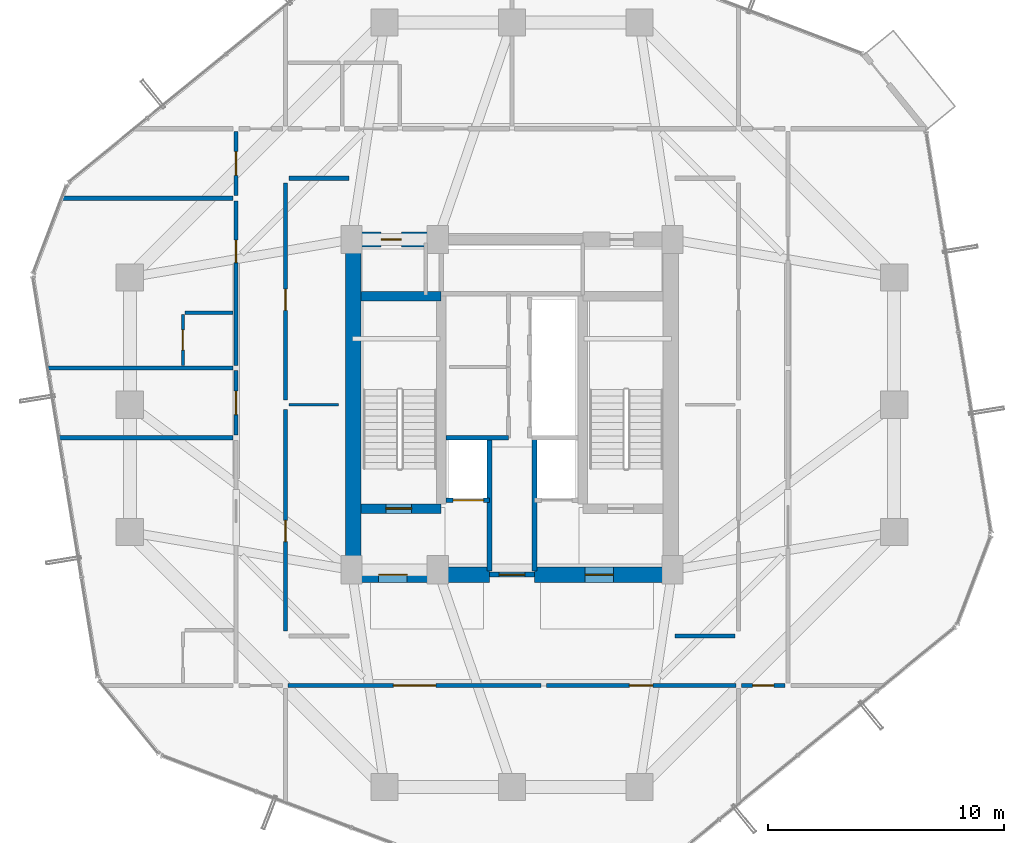
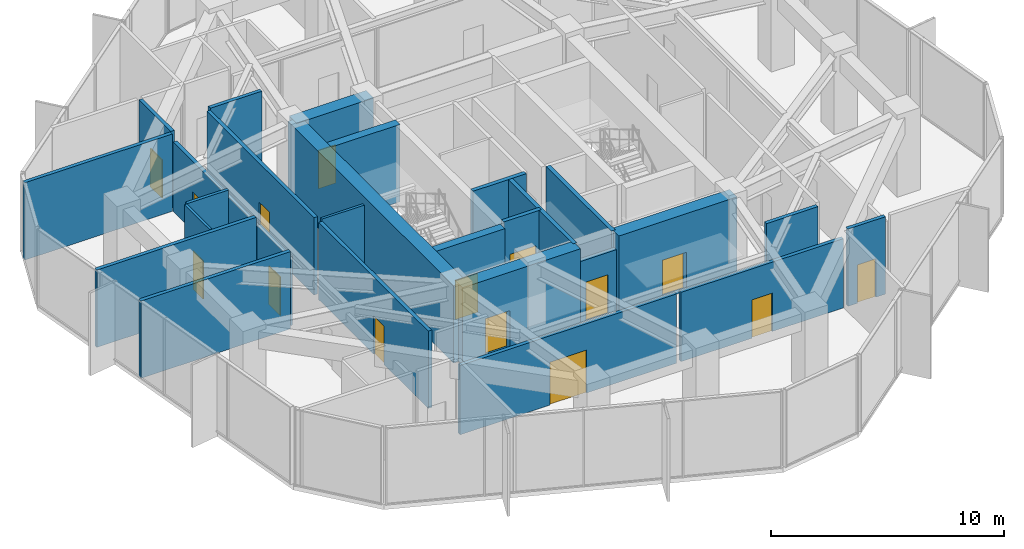
# One storey, part 22 of 26: 27 walls, 15 doors, 15 openings.
"""IFC4 building model written with IfcOpenShell, lengths in metres."""

from ifc_helpers import new_model, si_unit, direction, frame, frame_2d, origin, place, context, subcontext, project, spatial, rectangle, extrude, source, transform, mapped, material, layer, layer_set, type_object, element, fill, save


model = new_model("IFC4")

# Units and contexts
model_context = context("Model", 3, precision=1e-05, world=origin(), true_north=direction((0.0, 1.0)))
body_context = subcontext(model_context, "Body", "Model", "MODEL_VIEW")
ifc_project = project(units=[si_unit("LENGTHUNIT", "METRE"), si_unit("AREAUNIT", "SQUARE_METRE"), si_unit("VOLUMEUNIT", "CUBIC_METRE"), si_unit("PLANEANGLEUNIT", "RADIAN"), si_unit("MASSUNIT", "GRAM", prefix="KILO")], contexts=[model_context])

# Site, building, storey
site_placement = place(None, origin())
site = spatial("IfcSite", under=ifc_project, at=site_placement, CompositionType="ELEMENT")
building_placement = place(site_placement, origin())
building = spatial("IfcBuilding", under=site, at=building_placement, Name="Veraguas Prism Commons", CompositionType="ELEMENT")
storey_placement = place(building_placement, frame((0.0, 0.0, 158.75)))
storey = spatial("IfcBuildingStorey", under=building, at=storey_placement, Name="L45", CompositionType="ELEMENT", Elevation=158.75)

# Wall, opening, door
ifc_material_1 = material(Name="Concrete C50/60", Category="concrete")
ifc_layer_1 = layer(ifc_material_1, 0.39990234375, Name="Clinic and Mid Core Shear Wall RC 400", Category="concrete")
ifc_layer_set_1 = layer_set([ifc_layer_1], Name="Concrete C50/60")
wall_type_1 = type_object("IfcWallType", Name="Clinic and Mid Core Shear Wall RC 400", PredefinedType="SHEAR", material=ifc_layer_set_1)
wall_1_placement = place(storey_placement, frame((17.60009765625, 19.60009765625, 0.0), z_axis=(0.0, 0.0, 1.0), x_axis=(1.0, 0.0, 0.0)))
wall_1 = element("IfcWall", 1, at=wall_1_placement, inside=storey, type_object=wall_type_1, Name="Stair ST-01 South Shear Wall L45", PredefinedType="SHEAR", context=body_context, shape_type="SweptSolid", body=[
    extrude(rectangle(XDim=3.39990234375, YDim=0.39990234375, at=frame_2d((1.699951171875, 0.0))), origin(), (0.0, 0.0, 1.0), 4.050048828125),
])
opening_1_placement = place(wall_1_placement, frame((1.050048828125, 0.0, 0.0)))
opening_1 = element("IfcOpeningElement", 2, at=opening_1_placement, cuts=wall_1, Name="Opening DR-05", PredefinedType="OPENING", context=body_context, shape_type="SweptSolid", body=[
    extrude(rectangle(XDim=1.10009765625, YDim=2.030029296875, at=frame_2d((0.550048828125, 1.01513671875))), frame((0.0, 0.2099609375, 0.0), z_axis=(0.0, -1.0, 0.0), x_axis=(1.0, 0.0, 0.0)), (0.0, 0.0, 1.0), 0.419921875),
])
ifc_material_2 = material(Name="Steel fire-rated door assembly", Category="steel")
door_type_1 = type_object("IfcDoorType", Name="Protected Stair and Refuge Fire Door 1100x2030", OperationType="NOTDEFINED", PredefinedType="DOOR", material=ifc_material_2)
shared_shape_1 = source(origin(), body_context, "Body", "SweptSolid", [
    extrude(rectangle(XDim=1.10009765625, YDim=2.030029296875, at=frame_2d((0.550048828125, 1.01513671875))), frame((0.0, 0.02490234375, 0.0), z_axis=(0.0, -1.0, 0.0), x_axis=(1.0, 0.0, 0.0)), (0.0, 0.0, 1.0), 0.050048828125),
])
door_1_placement = place(opening_1_placement, origin())
door_1 = element("IfcDoor", 3, at=door_1_placement, inside=storey, type_object=door_type_1, Name="Stair ST-01 Enclosure Door L45", OperationType="SINGLE_SWING_RIGHT", OverallHeight=2.030029296875, OverallWidth=1.10009765625, PredefinedType="DOOR", context=body_context, shape_type="MappedRepresentation", body=[
    mapped(shared_shape_1, transform((0.0, 0.0, 0.0), scale=1.0)),
])
fill(opening_1, door_1)

# Walls
wall_2_placement = place(storey_placement, frame((17.60009765625, 28.60009765625, 0.0), z_axis=(0.0, 0.0, 1.0), x_axis=(1.0, 0.0, 0.0)))
element("IfcWall", 4, at=wall_2_placement, inside=storey, type_object=wall_type_1, Name="Stair ST-01 North Shear Wall L45", PredefinedType="SHEAR", context=body_context, shape_type="SweptSolid", body=[
    extrude(rectangle(XDim=3.39990234375, YDim=0.39990234375, at=frame_2d((1.699951171875, 0.0))), origin(), (0.0, 0.0, 1.0), 4.050048828125),
])
ifc_material_3 = material(Name="Concrete C55/67", Category="concrete")
ifc_layer_2 = layer(ifc_material_3, 0.64990234375, Name="Core Outer Shear Wall Mid RC 650", Category="concrete")
ifc_layer_set_2 = layer_set([ifc_layer_2], Name="Concrete C55/67")
wall_type_2 = type_object("IfcWallType", Name="Core Outer Shear Wall Mid RC 650", PredefinedType="SHEAR", material=ifc_layer_set_2)
wall_3_placement = place(storey_placement, frame((17.27490234375, 16.800048828125, 0.0), z_axis=(0.0, 0.0, 1.0), x_axis=(0.0, 1.0, 0.0)))
element("IfcWall", 5, at=wall_3_placement, inside=storey, type_object=wall_type_2, Name="Central Core West Shear Wall L45", PredefinedType="SHEAR", context=body_context, shape_type="SweptSolid", body=[
    extrude(rectangle(XDim=14.199951171875, YDim=0.64990234375, at=frame_2d((7.10009765625, 0.0))), origin(), (0.0, 0.0, 1.0), 4.050048828125),
])

# Wall, opening, door
wall_4_placement = place(storey_placement, frame((17.199951171875, 16.800048828125, 0.0), z_axis=(0.0, 0.0, 1.0), x_axis=(1.0, 0.0, 0.0)))
wall_4 = element("IfcWall", 6, at=wall_4_placement, inside=storey, type_object=wall_type_2, Name="Central Core South-West Shear Wall L45", PredefinedType="SHEAR", context=body_context, shape_type="SweptSolid", body=[
    extrude(rectangle(XDim=5.85009765625, YDim=0.64990234375, at=frame_2d((2.925048828125, 0.0))), origin(), (0.0, 0.0, 1.0), 4.050048828125),
])
opening_2_placement = place(wall_4_placement, frame((1.14990234375, 0.0, 0.0)))
opening_2 = element("IfcOpeningElement", 7, at=opening_2_placement, cuts=wall_4, Name="Opening DR-06", PredefinedType="OPENING", context=body_context, shape_type="SweptSolid", body=[
    extrude(rectangle(XDim=1.199951171875, YDim=2.030029296875, at=frame_2d((0.60009765625, 1.01513671875))), frame((0.0, 0.3349609375, 0.0), z_axis=(0.0, -1.0, 0.0), x_axis=(1.0, 0.0, 0.0)), (0.0, 0.0, 1.0), 0.669921875),
])
door_type_2 = type_object("IfcDoorType", Name="Firefighting Lobby Smoke Door 1200x2030", OperationType="NOTDEFINED", PredefinedType="DOOR", material=ifc_material_2)
shared_shape_2 = source(origin(), body_context, "Body", "SweptSolid", [
    extrude(rectangle(XDim=1.199951171875, YDim=2.030029296875, at=frame_2d((0.60009765625, 1.01513671875))), frame((0.0, 0.02490234375, 0.0), z_axis=(0.0, -1.0, 0.0), x_axis=(1.0, 0.0, 0.0)), (0.0, 0.0, 1.0), 0.050048828125),
])
door_2_placement = place(opening_2_placement, origin())
door_2 = element("IfcDoor", 8, at=door_2_placement, inside=storey, type_object=door_type_2, Name="West FF Lobby Door L45", OperationType="SINGLE_SWING_LEFT", OverallHeight=2.030029296875, OverallWidth=1.199951171875, PredefinedType="DOOR", context=body_context, shape_type="MappedRepresentation", body=[
    mapped(shared_shape_2, transform((0.0, 0.0, 0.0), scale=1.0)),
])
fill(opening_2, door_2)

wall_5_placement = place(storey_placement, frame((24.949951171875, 16.800048828125, 0.0), z_axis=(0.0, 0.0, 1.0), x_axis=(1.0, 0.0, 0.0)))
wall_5 = element("IfcWall", 9, at=wall_5_placement, inside=storey, type_object=wall_type_2, Name="Central Core South-East Shear Wall L45", PredefinedType="SHEAR", context=body_context, shape_type="SweptSolid", body=[
    extrude(rectangle(XDim=5.85009765625, YDim=0.64990234375, at=frame_2d((2.925048828125, 0.0))), origin(), (0.0, 0.0, 1.0), 4.050048828125),
])
opening_3_placement = place(wall_5_placement, frame((2.14990234375, 0.0, 0.0)))
opening_3 = element("IfcOpeningElement", 10, at=opening_3_placement, cuts=wall_5, Name="Opening DR-06", PredefinedType="OPENING", context=body_context, shape_type="SweptSolid", body=[
    extrude(rectangle(XDim=1.199951171875, YDim=2.030029296875, at=frame_2d((0.60009765625, 1.01513671875))), frame((0.0, 0.3349609375, 0.0), z_axis=(0.0, -1.0, 0.0), x_axis=(1.0, 0.0, 0.0)), (0.0, 0.0, 1.0), 0.669921875),
])
door_3_placement = place(opening_3_placement, origin())
door_3 = element("IfcDoor", 11, at=door_3_placement, inside=storey, type_object=door_type_2, Name="East FF Lobby Door L45", OperationType="SINGLE_SWING_LEFT", OverallHeight=2.030029296875, OverallWidth=1.199951171875, PredefinedType="DOOR", context=body_context, shape_type="MappedRepresentation", body=[
    mapped(shared_shape_2, transform((0.0, 0.0, 0.0), scale=1.0)),
])
fill(opening_3, door_3)

wall_6_placement = place(storey_placement, frame((17.199951171875, 31.0, 0.0), z_axis=(0.0, 0.0, 1.0), x_axis=(1.0, 0.0, 0.0)))
wall_6 = element("IfcWall", 12, at=wall_6_placement, inside=storey, type_object=wall_type_2, Name="Central Core North-West Shear Wall L45", PredefinedType="SHEAR", context=body_context, shape_type="SweptSolid", body=[
    extrude(rectangle(XDim=3.800048828125, YDim=0.64990234375, at=frame_2d((1.89990234375, 0.0))), origin(), (0.0, 0.0, 1.0), 4.050048828125),
])
opening_4_placement = place(wall_6_placement, frame((1.25, 0.0, 0.0)))
opening_4 = element("IfcOpeningElement", 13, at=opening_4_placement, cuts=wall_6, Name="Opening DR-12", PredefinedType="OPENING", context=body_context, shape_type="SweptSolid", body=[
    extrude(rectangle(XDim=0.860107421875, YDim=2.010009765625, at=frame_2d((0.43017578125, 1.0048828125))), frame((0.0, 0.3349609375, 0.0), z_axis=(0.0, -1.0, 0.0), x_axis=(1.0, 0.0, 0.0)), (0.0, 0.0, 1.0), 0.669921875),
])
door_type_3 = type_object("IfcDoorType", Name="Core WC Fire Door 860x2010", OperationType="NOTDEFINED", PredefinedType="DOOR", material=ifc_material_2)
shared_shape_3 = source(origin(), body_context, "Body", "SweptSolid", [
    extrude(rectangle(XDim=0.860107421875, YDim=2.010009765625, at=frame_2d((0.43017578125, 1.0048828125))), frame((0.0, 0.02490234375, 0.0), z_axis=(0.0, -1.0, 0.0), x_axis=(1.0, 0.0, 0.0)), (0.0, 0.0, 1.0), 0.050048828125),
])
door_4_placement = place(opening_4_placement, origin())
door_4 = element("IfcDoor", 14, at=door_4_placement, inside=storey, type_object=door_type_3, Name="Core NW Service Door L45", OperationType="SINGLE_SWING_RIGHT", OverallHeight=2.010009765625, OverallWidth=0.860107421875, PredefinedType="DOOR", context=body_context, shape_type="MappedRepresentation", body=[
    mapped(shared_shape_3, transform((0.0, 0.0, 0.0), scale=1.0)),
])
fill(opening_4, door_4)

ifc_material_4 = material(Name="Autoclaved aerated masonry block 10 MPa", Category="masonry")
ifc_layer_3 = layer(ifc_material_4, 0.179931640625, Name="Corridor and Inter-Tenancy Partition 180", Category="masonry")
ifc_layer_set_3 = layer_set([ifc_layer_3], Name="Autoclaved aerated masonry block 10 MPa")
wall_type_3 = type_object("IfcWallType", Name="Corridor and Inter-Tenancy Partition 180", PredefinedType="PARTITIONING", material=ifc_layer_set_3)
wall_7_placement = place(storey_placement, frame((14.39990234375, 14.39990234375, 0.0), z_axis=(0.0, 0.0, 1.0), x_axis=(0.0, 1.0, 0.0)))
wall_7 = element("IfcWall", 15, at=wall_7_placement, inside=storey, type_object=wall_type_3, Name="WL-L45-IRW1", PredefinedType="PARTITIONING", context=body_context, shape_type="SweptSolid", body=[
    extrude(rectangle(XDim=9.400146484375, YDim=0.179931640625, at=frame_2d((4.7001953125, 0.0))), origin(), (0.0, 0.0, 1.0), 4.050048828125),
])
opening_5_placement = place(wall_7_placement, frame((3.800048828125, 0.0, 0.0)))
opening_5 = element("IfcOpeningElement", 16, at=opening_5_placement, cuts=wall_7, Name="Opening DR-14", PredefinedType="OPENING", context=body_context, shape_type="SweptSolid", body=[
    extrude(rectangle(XDim=0.89990234375, YDim=2.010009765625, at=frame_2d((0.449951171875, 1.0048828125))), frame((0.0, 0.099853515625, 0.0), z_axis=(0.0, -1.0, 0.0), x_axis=(1.0, 0.0, 0.0)), (0.0, 0.0, 1.0), 0.199951171875),
])
door_type_4 = type_object("IfcDoorType", Name="Core Service Room Fire Door 900x2010", OperationType="NOTDEFINED", PredefinedType="DOOR", material=ifc_material_2)
shared_shape_4 = source(origin(), body_context, "Body", "SweptSolid", [
    extrude(rectangle(XDim=0.89990234375, YDim=2.010009765625, at=frame_2d((0.449951171875, 1.0048828125))), frame((0.0, 0.02490234375, 0.0), z_axis=(0.0, -1.0, 0.0), x_axis=(1.0, 0.0, 0.0)), (0.0, 0.0, 1.0), 0.050048828125),
])
door_5_placement = place(opening_5_placement, origin())
door_5 = element("IfcDoor", 17, at=door_5_placement, inside=storey, type_object=door_type_4, Name="Residents Quiet Study Pod Door L45", OperationType="SINGLE_SWING_RIGHT", OverallHeight=2.010009765625, OverallWidth=0.89990234375, PredefinedType="DOOR", context=body_context, shape_type="MappedRepresentation", body=[
    mapped(shared_shape_4, transform((0.0, 0.0, 0.0), scale=1.0)),
])
fill(opening_5, door_5)

wall_8_placement = place(storey_placement, frame((14.39990234375, 24.199951171875, 0.0), z_axis=(0.0, 0.0, 1.0), x_axis=(0.0, 1.0, 0.0)))
wall_8 = element("IfcWall", 18, at=wall_8_placement, inside=storey, type_object=wall_type_3, Name="WL-L45-IRW2", PredefinedType="PARTITIONING", context=body_context, shape_type="SweptSolid", body=[
    extrude(rectangle(XDim=9.199951171875, YDim=0.179931640625, at=frame_2d((4.60009765625, 0.0))), origin(), (0.0, 0.0, 1.0), 4.050048828125),
])
opening_6_placement = place(wall_8_placement, frame((3.800048828125, 0.0, 0.0)))
opening_6 = element("IfcOpeningElement", 19, at=opening_6_placement, cuts=wall_8, Name="Opening DR-14", PredefinedType="OPENING", context=body_context, shape_type="SweptSolid", body=[
    extrude(rectangle(XDim=0.89990234375, YDim=2.010009765625, at=frame_2d((0.449951171875, 1.0048828125))), frame((0.0, 0.099853515625, 0.0), z_axis=(0.0, -1.0, 0.0), x_axis=(1.0, 0.0, 0.0)), (0.0, 0.0, 1.0), 0.199951171875),
])
door_6_placement = place(opening_6_placement, origin())
door_6 = element("IfcDoor", 20, at=door_6_placement, inside=storey, type_object=door_type_4, Name="Co-op Cycle and Pram Store Door L45", OperationType="SINGLE_SWING_LEFT", OverallHeight=2.010009765625, OverallWidth=0.89990234375, PredefinedType="DOOR", context=body_context, shape_type="MappedRepresentation", body=[
    mapped(shared_shape_4, transform((0.0, 0.0, 0.0), scale=1.0)),
])
fill(opening_6, door_6)

# Walls
for number, where, z_axis, x_axis, name in (
    (21, (14.550048828125, 33.60009765625, 0.0), (0.0, 0.0, 1.0), (1.0, 0.0, 0.0), "WL-L45-IRWN"),
    (22, (30.89990234375, 14.199951171875, 0.0), (0.0, 0.0, 1.0), (1.0, 0.0, 0.0), "WL-L45-IRES"),
):
    element("IfcWall", number, at=place(storey_placement, frame(where, z_axis=z_axis, x_axis=x_axis)), inside=storey, type_object=wall_type_3, Name=name, PredefinedType="PARTITIONING", context=body_context, shape_type="SweptSolid", body=[
        extrude(rectangle(XDim=2.550048828125, YDim=0.179931640625, at=frame_2d((1.27490234375, 0.0))), origin(), (0.0, 0.0, 1.0), 4.050048828125),
    ])

# Wall, opening, door
wall_9_placement = place(storey_placement, frame((14.510009765625, 12.10009765625, 0.0), z_axis=(0.0, 0.0, 1.0), x_axis=(1.0, 0.0, 0.0)))
wall_9 = element("IfcWall", 23, at=wall_9_placement, inside=storey, type_object=wall_type_3, Name="WL-L45-PT003", PredefinedType="PARTITIONING", context=body_context, shape_type="SweptSolid", body=[
    extrude(rectangle(XDim=10.723876953125, YDim=0.179931640625, at=frame_2d((5.36181640625, 0.0))), origin(), (0.0, 0.0, 1.0), 3.6298828125),
])
opening_7_placement = place(wall_9_placement, frame((4.4619140625, 0.0, 0.0)))
opening_7 = element("IfcOpeningElement", 24, at=opening_7_placement, cuts=wall_9, Name="Opening DR-07", PredefinedType="OPENING", context=body_context, shape_type="SweptSolid", body=[
    extrude(rectangle(XDim=1.800048828125, YDim=2.25, at=frame_2d((0.89990234375, 1.125))), frame((0.0, 0.099853515625, 0.0), z_axis=(0.0, -1.0, 0.0), x_axis=(1.0, 0.0, 0.0)), (0.0, 0.0, 1.0), 0.199951171875),
])
door_type_5 = type_object("IfcDoorType", Name="Corridor Double Fire Door 1800x2250", OperationType="NOTDEFINED", PredefinedType="DOOR", material=ifc_material_2)
shared_shape_5 = source(origin(), body_context, "Body", "SweptSolid", [
    extrude(rectangle(XDim=1.800048828125, YDim=2.25, at=frame_2d((0.89990234375, 1.125))), frame((0.0, 0.02490234375, 0.0), z_axis=(0.0, -1.0, 0.0), x_axis=(1.0, 0.0, 0.0)), (0.0, 0.0, 1.0), 0.050048828125),
])
door_7_placement = place(opening_7_placement, origin())
door_7 = element("IfcDoor", 25, at=door_7_placement, inside=storey, type_object=door_type_5, Name="Residents Co-op Library and Reading Hall Door 1", OperationType="SINGLE_SWING_RIGHT", OverallHeight=2.25, OverallWidth=1.800048828125, PredefinedType="DOOR", context=body_context, shape_type="MappedRepresentation", body=[
    mapped(shared_shape_5, transform((0.0, 0.0, 0.0), scale=1.0)),
])
fill(opening_7, door_7)

wall_10_placement = place(storey_placement, frame((25.4541015625, 12.10009765625, 0.0), z_axis=(0.0, 0.0, 1.0), x_axis=(1.0, 0.0, 0.0)))
wall_10 = element("IfcWall", 26, at=wall_10_placement, inside=storey, type_object=wall_type_3, Name="WL-L45-PT004", PredefinedType="PARTITIONING", context=body_context, shape_type="SweptSolid", body=[
    extrude(rectangle(XDim=8.035888671875, YDim=0.179931640625, at=frame_2d((4.01806640625, 0.0))), origin(), (0.0, 0.0, 1.0), 3.6298828125),
])
opening_8_placement = place(wall_10_placement, frame((3.51806640625, 0.0, 0.0)))
opening_8 = element("IfcOpeningElement", 27, at=opening_8_placement, cuts=wall_10, Name="Opening DR-13", PredefinedType="OPENING", context=body_context, shape_type="SweptSolid", body=[
    extrude(rectangle(XDim=1.0, YDim=2.010009765625, at=frame_2d((0.5, 1.0048828125))), frame((0.0, 0.099853515625, 0.0), z_axis=(0.0, -1.0, 0.0), x_axis=(1.0, 0.0, 0.0)), (0.0, 0.0, 1.0), 0.199951171875),
])
door_type_6 = type_object("IfcDoorType", Name="Core Accessible WC and Clinic Fire Door 1000x2010", OperationType="NOTDEFINED", PredefinedType="DOOR", material=ifc_material_2)
shared_shape_6 = source(origin(), body_context, "Body", "SweptSolid", [
    extrude(rectangle(XDim=1.0, YDim=2.010009765625, at=frame_2d((0.5, 1.0048828125))), frame((0.0, 0.02490234375, 0.0), z_axis=(0.0, -1.0, 0.0), x_axis=(1.0, 0.0, 0.0)), (0.0, 0.0, 1.0), 0.050048828125),
])
door_8_placement = place(opening_8_placement, origin())
door_8 = element("IfcDoor", 28, at=door_8_placement, inside=storey, type_object=door_type_6, Name="Residents Co-op Library and Reading Hall Door 2", OperationType="SINGLE_SWING_LEFT", OverallHeight=2.010009765625, OverallWidth=1.0, PredefinedType="DOOR", context=body_context, shape_type="MappedRepresentation", body=[
    mapped(shared_shape_6, transform((0.0, 0.0, 0.0), scale=1.0)),
])
fill(opening_8, door_8)

wall_11_placement = place(storey_placement, frame((12.300048828125, 22.7119140625, 0.0), z_axis=(0.0, 0.0, 1.0), x_axis=(0.0, 1.0, 0.0)))
wall_11 = element("IfcWall", 29, at=wall_11_placement, inside=storey, type_object=wall_type_3, Name="WL-L45-PT018", PredefinedType="PARTITIONING", context=body_context, shape_type="SweptSolid", body=[
    extrude(rectangle(XDim=2.72998046875, YDim=0.179931640625, at=frame_2d((1.364990234375, 0.0))), origin(), (0.0, 0.0, 1.0), 3.6298828125),
])
opening_9_placement = place(wall_11_placement, frame((0.864990234375, 0.0, 0.0)))
opening_9 = element("IfcOpeningElement", 30, at=opening_9_placement, cuts=wall_11, Name="Opening DR-13", PredefinedType="OPENING", context=body_context, shape_type="SweptSolid", body=[
    extrude(rectangle(XDim=1.0, YDim=2.010009765625, at=frame_2d((0.5, 1.0048828125))), frame((0.0, 0.099853515625, 0.0), z_axis=(0.0, -1.0, 0.0), x_axis=(1.0, 0.0, 0.0)), (0.0, 0.0, 1.0), 0.199951171875),
])
door_9_placement = place(opening_9_placement, origin())
door_9 = element("IfcDoor", 31, at=door_9_placement, inside=storey, type_object=door_type_6, Name="Quiet Study W Door", OperationType="SINGLE_SWING_RIGHT", OverallHeight=2.010009765625, OverallWidth=1.0, PredefinedType="DOOR", context=body_context, shape_type="MappedRepresentation", body=[
    mapped(shared_shape_6, transform((0.0, 0.0, 0.0), scale=1.0)),
])
fill(opening_9, door_9)

# Walls
wall_12_placement = place(storey_placement, frame((12.179931640625, 22.60205078125, 0.0), z_axis=(0.0, 0.0, 1.0), x_axis=(-1.0, 0.0, 0.0)))
element("IfcWall", 32, at=wall_12_placement, inside=storey, type_object=wall_type_3, Name="WL-L45-PT019", PredefinedType="PARTITIONING", context=body_context, shape_type="SweptSolid", body=[
    extrude(rectangle(XDim=7.416259765625, YDim=0.179931640625, at=frame_2d((3.7080078125, 0.0))), origin(), (0.0, 0.0, 1.0), 4.050048828125),
])
wall_13_placement = place(storey_placement, frame((12.179931640625, 25.552001953125, 0.0), z_axis=(0.0, 0.0, 1.0), x_axis=(-1.0, 0.0, 0.0)))
element("IfcWall", 33, at=wall_13_placement, inside=storey, type_object=wall_type_3, Name="WL-L45-PT023", PredefinedType="PARTITIONING", context=body_context, shape_type="SweptSolid", body=[
    extrude(rectangle(XDim=7.89404296875, YDim=0.179931640625, at=frame_2d((3.947021484375, 0.0))), origin(), (0.0, 0.0, 1.0), 4.050048828125),
])

# Wall, opening, door
wall_14_placement = place(storey_placement, frame((12.300048828125, 32.860107421875, 0.0), z_axis=(0.0, 0.0, 1.0), x_axis=(0.0, 1.0, 0.0)))
wall_14 = element("IfcWall", 34, at=wall_14_placement, inside=storey, type_object=wall_type_3, Name="WL-L45-PT024", PredefinedType="PARTITIONING", context=body_context, shape_type="SweptSolid", body=[
    extrude(rectangle(XDim=2.72998046875, YDim=0.179931640625, at=frame_2d((1.364990234375, 0.0))), origin(), (0.0, 0.0, 1.0), 4.050048828125),
])
opening_10_placement = place(wall_14_placement, frame((0.864990234375, 0.0, 0.0)))
opening_10 = element("IfcOpeningElement", 35, at=opening_10_placement, cuts=wall_14, Name="Opening DR-13", PredefinedType="OPENING", context=body_context, shape_type="SweptSolid", body=[
    extrude(rectangle(XDim=1.0, YDim=2.010009765625, at=frame_2d((0.5, 1.0048828125))), frame((0.0, 0.099853515625, 0.0), z_axis=(0.0, -1.0, 0.0), x_axis=(1.0, 0.0, 0.0)), (0.0, 0.0, 1.0), 0.199951171875),
])
door_10_placement = place(opening_10_placement, origin())
door_10 = element("IfcDoor", 36, at=door_10_placement, inside=storey, type_object=door_type_6, Name="Quiet Study W Door", OperationType="SINGLE_SWING_LEFT", OverallHeight=2.010009765625, OverallWidth=1.0, PredefinedType="DOOR", context=body_context, shape_type="MappedRepresentation", body=[
    mapped(shared_shape_6, transform((0.0, 0.0, 0.0), scale=1.0)),
])
fill(opening_10, door_10)

# Wall
wall_15_placement = place(storey_placement, frame((12.179931640625, 32.75, 0.0), z_axis=(0.0, 0.0, 1.0), x_axis=(-1.0, 0.0, 0.0)))
element("IfcWall", 37, at=wall_15_placement, inside=storey, type_object=wall_type_3, Name="WL-L45-PT025", PredefinedType="PARTITIONING", context=body_context, shape_type="SweptSolid", body=[
    extrude(rectangle(XDim=7.300048828125, YDim=0.179931640625, at=frame_2d((3.64990234375, 0.0))), origin(), (0.0, 0.0, 1.0), 4.050048828125),
])

# Wall, opening, door
wall_16_placement = place(storey_placement, frame((12.300048828125, 25.662109375, 0.0), z_axis=(0.0, 0.0, 1.0), x_axis=(0.0, 1.0, 0.0)))
wall_16 = element("IfcWall", 38, at=wall_16_placement, inside=storey, type_object=wall_type_3, Name="WL-L45-PT026", PredefinedType="PARTITIONING", context=body_context, shape_type="SweptSolid", body=[
    extrude(rectangle(XDim=6.977783203125, YDim=0.179931640625, at=frame_2d((3.48876953125, 0.0))), origin(), (0.0, 0.0, 1.0), 3.6298828125),
])
opening_11_placement = place(wall_16_placement, frame((4.36474609375, 0.0, 0.0)))
opening_11 = element("IfcOpeningElement", 39, at=opening_11_placement, cuts=wall_16, Name="Opening DR-01", PredefinedType="OPENING", context=body_context, shape_type="SweptSolid", body=[
    extrude(rectangle(XDim=0.949951171875, YDim=2.02001953125, at=frame_2d((0.47509765625, 1.010009765625))), frame((0.0, 0.099853515625, 0.0), z_axis=(0.0, -1.0, 0.0), x_axis=(1.0, 0.0, 0.0)), (0.0, 0.0, 1.0), 0.199951171875),
])
ifc_material_5 = material(Name="Anodised aluminium EN AW-6063 T6", Category="aluminium")
door_type_7 = type_object("IfcDoorType", Name="Apartment Entrance Fire Door 950x2020", OperationType="NOTDEFINED", PredefinedType="DOOR", material=ifc_material_5)
shared_shape_7 = source(origin(), body_context, "Body", "SweptSolid", [
    extrude(rectangle(XDim=0.949951171875, YDim=2.02001953125, at=frame_2d((0.47509765625, 1.010009765625))), frame((0.0, 0.02490234375, 0.0), z_axis=(0.0, -1.0, 0.0), x_axis=(1.0, 0.0, 0.0)), (0.0, 0.0, 1.0), 0.050048828125),
])
door_11_placement = place(opening_11_placement, origin())
door_11 = element("IfcDoor", 40, at=door_11_placement, inside=storey, type_object=door_type_7, Name="Studio 45B Entrance Door", OperationType="SINGLE_SWING_RIGHT", OverallHeight=2.02001953125, OverallWidth=0.949951171875, PredefinedType="DOOR", context=body_context, shape_type="MappedRepresentation", body=[
    mapped(shared_shape_7, transform((0.0, 0.0, 0.0), scale=1.0)),
])
fill(opening_11, door_11)

wall_17_placement = place(storey_placement, frame((33.719970703125, 12.10009765625, 0.0), z_axis=(0.0, 0.0, 1.0), x_axis=(1.0, 0.0, 0.0)))
wall_17 = element("IfcWall", 41, at=wall_17_placement, inside=storey, type_object=wall_type_3, Name="WL-L45-PT034", PredefinedType="PARTITIONING", context=body_context, shape_type="SweptSolid", body=[
    extrude(rectangle(XDim=1.860107421875, YDim=0.179931640625, at=frame_2d((0.93017578125, 0.0))), origin(), (0.0, 0.0, 1.0), 4.050048828125),
])
opening_12_placement = place(wall_17_placement, frame((0.47998046875, 0.0, 0.0)))
opening_12 = element("IfcOpeningElement", 42, at=opening_12_placement, cuts=wall_17, Name="Opening DR-14", PredefinedType="OPENING", context=body_context, shape_type="SweptSolid", body=[
    extrude(rectangle(XDim=0.89990234375, YDim=2.010009765625, at=frame_2d((0.449951171875, 1.0048828125))), frame((0.0, 0.099853515625, 0.0), z_axis=(0.0, -1.0, 0.0), x_axis=(1.0, 0.0, 0.0)), (0.0, 0.0, 1.0), 0.199951171875),
])
door_12_placement = place(opening_12_placement, origin())
door_12 = element("IfcDoor", 43, at=door_12_placement, inside=storey, type_object=door_type_4, Name="Shared Laundry Room SE Door", OperationType="SINGLE_SWING_LEFT", OverallHeight=2.010009765625, OverallWidth=0.89990234375, PredefinedType="DOOR", context=body_context, shape_type="MappedRepresentation", body=[
    mapped(shared_shape_4, transform((0.0, 0.0, 0.0), scale=1.0)),
])
fill(opening_12, door_12)

# Wall
ifc_material_6 = material(Name="Lightweight acoustic gypsum board")
ifc_layer_4 = layer(ifc_material_6, 0.125, Name="Internal Apartment Room Partition 125")
ifc_layer_set_4 = layer_set([ifc_layer_4], Name="Lightweight acoustic gypsum board")
wall_type_4 = type_object("IfcWallType", Name="Internal Apartment Room Partition 125", PredefinedType="PARTITIONING", material=ifc_layer_set_4)
wall_18_placement = place(storey_placement, frame((14.550048828125, 24.0, 0.0), z_axis=(0.0, 0.0, 1.0), x_axis=(1.0, 0.0, 0.0)))
element("IfcWall", 44, at=wall_18_placement, inside=storey, type_object=wall_type_4, Name="WL-L45-IRWM", PredefinedType="PARTITIONING", context=body_context, shape_type="SweptSolid", body=[
    extrude(rectangle(XDim=2.099853515625, YDim=0.125, at=frame_2d((1.0498046875, 0.0))), origin(), (0.0, 0.0, 1.0), 4.050048828125),
])

# Wall, opening, door
wall_19_placement = place(storey_placement, frame((10.050048828125, 25.672119140625, 0.0), z_axis=(0.0, 0.0, 1.0), x_axis=(0.0, 1.0, 0.0)))
wall_19 = element("IfcWall", 45, at=wall_19_placement, inside=storey, type_object=wall_type_4, Name="WL-L45-PT028", PredefinedType="PARTITIONING", context=body_context, shape_type="SweptSolid", body=[
    extrude(rectangle(XDim=2.14990234375, YDim=0.125, at=frame_2d((1.074951171875, 0.0))), origin(), (0.0, 0.0, 1.0), 4.050048828125),
])
opening_13_placement = place(wall_19_placement, frame((0.64501953125, 0.0, 0.0)))
opening_13 = element("IfcOpeningElement", 46, at=opening_13_placement, cuts=wall_19, Name="Opening DR-03", PredefinedType="OPENING", context=body_context, shape_type="SweptSolid", body=[
    extrude(rectangle(XDim=0.860107421875, YDim=2.010009765625, at=frame_2d((0.43017578125, 1.0048828125))), frame((0.0, 0.072509765625, 0.0), z_axis=(0.0, -1.0, 0.0), x_axis=(1.0, 0.0, 0.0)), (0.0, 0.0, 1.0), 0.14501953125),
])
ifc_material_7 = material(Name="Timber moisture-resistant leaf", Category="wood")
door_type_8 = type_object("IfcDoorType", Name="Internal Bathroom Door 860x2010", OperationType="NOTDEFINED", PredefinedType="DOOR", material=ifc_material_7)
door_13_placement = place(opening_13_placement, origin())
door_13 = element("IfcDoor", 47, at=door_13_placement, inside=storey, type_object=door_type_8, Name="Studio 45B Bathroom Door", OperationType="SINGLE_SWING_LEFT", OverallHeight=2.010009765625, OverallWidth=0.860107421875, PredefinedType="DOOR", context=body_context, shape_type="MappedRepresentation", body=[
    mapped(shared_shape_3, transform((0.0, 0.0, 0.0), scale=1.0)),
])
fill(opening_13, door_13)

ifc_layer_5 = layer(ifc_material_4, 0.199951171875, Name="Rated Shaft and Lobby Block Wall 200", Category="masonry")
ifc_layer_set_5 = layer_set([ifc_layer_5], Name="Autoclaved aerated masonry block 10 MPa")
wall_type_5 = type_object("IfcWallType", Name="Rated Shaft and Lobby Block Wall 200", PredefinedType="SOLIDWALL", material=ifc_layer_set_5)
wall_20_placement = place(storey_placement, frame((23.050048828125, 16.800048828125, 0.0), z_axis=(0.0, 0.0, 1.0), x_axis=(1.0, 0.0, 0.0)))
wall_20 = element("IfcWall", 48, at=wall_20_placement, inside=storey, type_object=wall_type_5, Name="Central Core Lobby Entrance Wall L45", PredefinedType="SOLIDWALL", context=body_context, shape_type="SweptSolid", body=[
    extrude(rectangle(XDim=1.89990234375, YDim=0.199951171875, at=frame_2d((0.949951171875, 0.0))), origin(), (0.0, 0.0, 1.0), 3.199951171875),
])
opening_14_placement = place(wall_20_placement, frame((0.39990234375, 0.0, 0.0)))
opening_14 = element("IfcOpeningElement", 49, at=opening_14_placement, cuts=wall_20, Name="Opening DR-05", PredefinedType="OPENING", context=body_context, shape_type="SweptSolid", body=[
    extrude(rectangle(XDim=1.10009765625, YDim=2.030029296875, at=frame_2d((0.550048828125, 1.01513671875))), frame((0.0, 0.10986328125, 0.0), z_axis=(0.0, -1.0, 0.0), x_axis=(1.0, 0.0, 0.0)), (0.0, 0.0, 1.0), 0.219970703125),
])
door_14_placement = place(opening_14_placement, origin())
door_14 = element("IfcDoor", 50, at=door_14_placement, inside=storey, type_object=door_type_1, Name="Central Lobby Door L45", OperationType="SINGLE_SWING_RIGHT", OverallHeight=2.030029296875, OverallWidth=1.10009765625, PredefinedType="DOOR", context=body_context, shape_type="MappedRepresentation", body=[
    mapped(shared_shape_1, transform((0.0, 0.0, 0.0), scale=1.0)),
])
fill(opening_14, door_14)

wall_21_placement = place(storey_placement, frame((21.199951171875, 19.949951171875, 0.0), z_axis=(0.0, 0.0, 1.0), x_axis=(1.0, 0.0, 0.0)))
wall_21 = element("IfcWall", 51, at=wall_21_placement, inside=storey, type_object=wall_type_5, Name="Firefighting Lift FFL-1 Front Wall L45", PredefinedType="SOLIDWALL", context=body_context, shape_type="SweptSolid", body=[
    extrude(rectangle(XDim=1.85009765625, YDim=0.199951171875, at=frame_2d((0.925048828125, 0.0))), origin(), (0.0, 0.0, 1.0), 4.050048828125),
])
opening_15_placement = place(wall_21_placement, frame((0.300048828125, 0.0, 0.0)))
opening_15 = element("IfcOpeningElement", 52, at=opening_15_placement, cuts=wall_21, Name="Opening LD-02", PredefinedType="OPENING", context=body_context, shape_type="SweptSolid", body=[
    extrude(rectangle(XDim=1.300048828125, YDim=2.25, at=frame_2d((0.64990234375, 1.125))), frame((0.0, 0.10986328125, 0.0), z_axis=(0.0, -1.0, 0.0), x_axis=(1.0, 0.0, 0.0)), (0.0, 0.0, 1.0), 0.219970703125),
])
ifc_material_8 = material(Name="Stainless steel AISI 316", Category="steel")
door_type_9 = type_object("IfcDoorType", Name="Firefighting Lift Sliding Landing Door 1300x2250", OperationType="NOTDEFINED", PredefinedType="DOOR", material=ifc_material_8)
shared_shape_8 = source(origin(), body_context, "Body", "SweptSolid", [
    extrude(rectangle(XDim=1.300048828125, YDim=2.25, at=frame_2d((0.64990234375, 1.125))), frame((0.0, 0.02490234375, 0.0), z_axis=(0.0, -1.0, 0.0), x_axis=(1.0, 0.0, 0.0)), (0.0, 0.0, 1.0), 0.050048828125),
])
door_15_placement = place(opening_15_placement, origin())
door_15 = element("IfcDoor", 53, at=door_15_placement, inside=storey, type_object=door_type_9, Name="Firefighting Lift FFL-1 Landing Door L45", OperationType="SLIDING_TO_LEFT", OverallHeight=2.25, OverallWidth=1.300048828125, PredefinedType="DOOR", context=body_context, shape_type="MappedRepresentation", body=[
    mapped(shared_shape_8, transform((0.0, 0.0, 0.0), scale=1.0)),
])
fill(opening_15, door_15)

# Walls
for number, where, z_axis, x_axis, name in (
    (54, (23.050048828125, 16.949951171875, 0.0), (0.0, 0.0, 1.0), (0.0, 1.0, 0.0), "West FF Lobby Divider Wall L45"),
    (55, (24.949951171875, 16.949951171875, 0.0), (0.0, 0.0, 1.0), (0.0, 1.0, 0.0), "East FF Lobby Divider Wall L45"),
):
    element("IfcWall", number, at=place(storey_placement, frame(where, z_axis=z_axis, x_axis=x_axis)), inside=storey, type_object=wall_type_5, Name=name, PredefinedType="SOLIDWALL", context=body_context, shape_type="SweptSolid", body=[
        extrude(rectangle(XDim=5.60009765625, YDim=0.199951171875, at=frame_2d((2.800048828125, 0.0))), origin(), (0.0, 0.0, 1.0), 4.050048828125),
    ])
wall_22_placement = place(storey_placement, frame((21.199951171875, 22.60009765625, 0.0), z_axis=(0.0, 0.0, 1.0), x_axis=(1.0, 0.0, 0.0)))
element("IfcWall", 56, at=wall_22_placement, inside=storey, type_object=wall_type_5, Name="Firefighting Lift FFL-1 Rear Wall L45", PredefinedType="SOLIDWALL", context=body_context, shape_type="SweptSolid", body=[
    extrude(rectangle(XDim=2.650146484375, YDim=0.199951171875, at=frame_2d((1.3251953125, 0.0))), origin(), (0.0, 0.0, 1.0), 4.050048828125),
])
ifc_layer_6 = layer(ifc_material_6, 0.14990234375, Name="Wet Room and Clinic Acoustic Partition 150")
ifc_layer_set_6 = layer_set([ifc_layer_6], Name="Lightweight acoustic gypsum board")
wall_type_6 = type_object("IfcWallType", Name="Wet Room and Clinic Acoustic Partition 150", PredefinedType="PARTITIONING", material=ifc_layer_set_6)
wall_23_placement = place(storey_placement, frame((12.179931640625, 27.902099609375, 0.0), z_axis=(0.0, 0.0, 1.0), x_axis=(-1.0, 0.0, 0.0)))
element("IfcWall", 57, at=wall_23_placement, inside=storey, type_object=wall_type_6, Name="WL-L45-PT027", PredefinedType="PARTITIONING", context=body_context, shape_type="SweptSolid", body=[
    extrude(rectangle(XDim=2.050048828125, YDim=0.14990234375, at=frame_2d((1.02490234375, 0.0))), origin(), (0.0, 0.0, 1.0), 4.050048828125),
])

save(model, "model.ifc")
